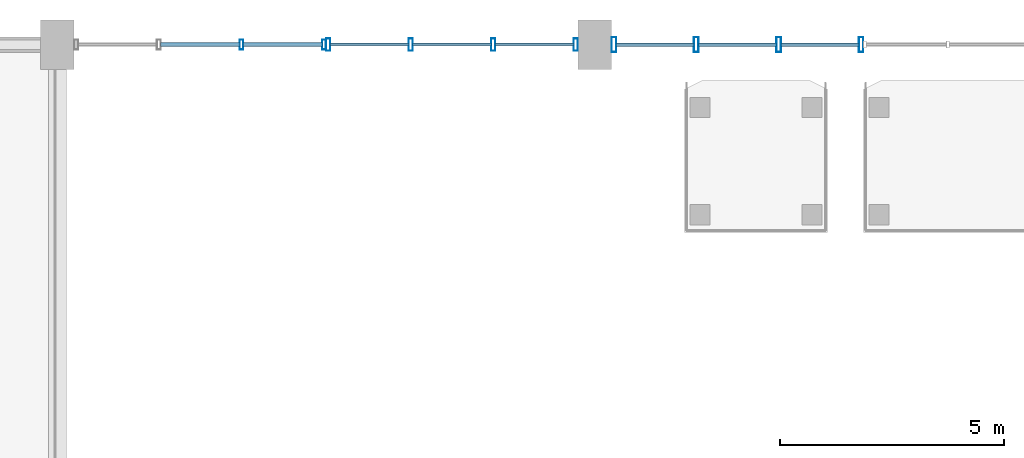
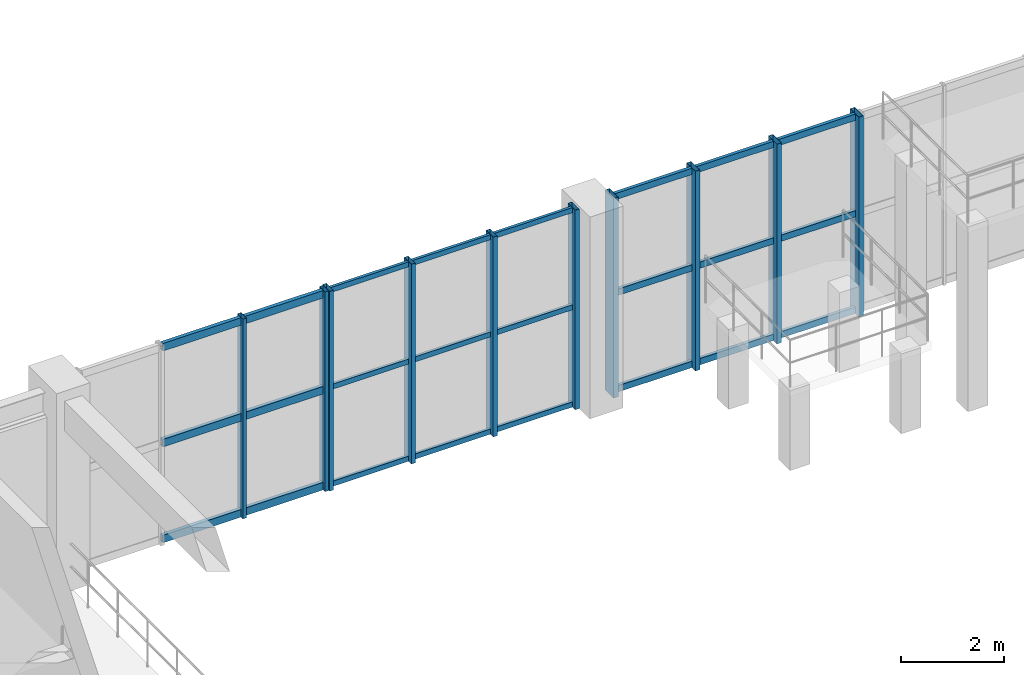
# One storey, part 63 of 106: 34 members, 3 elements without a shape of their own.
"""IFC4 building model written with IfcOpenShell, lengths in metres."""

from ifc_helpers import new_model, si_unit, direction, frame, origin, origin_2d, place, context, subcontext, project, spatial, hollow_rectangle, extrude, material, layer, layer_set, material_profile, profile_set, type_object, element, aggregate, save


model = new_model("IFC4")

# Units and contexts
model_context = context("Model", 3, precision=1e-05, world=origin(), true_north=direction((0.0, 1.0)))
body_context = subcontext(model_context, "Body", "Model", "MODEL_VIEW")
ifc_project = project(units=[si_unit("LENGTHUNIT", "METRE"), si_unit("AREAUNIT", "SQUARE_METRE"), si_unit("VOLUMEUNIT", "CUBIC_METRE"), si_unit("PLANEANGLEUNIT", "RADIAN"), si_unit("MASSUNIT", "GRAM", prefix="KILO"), si_unit("POWERUNIT", "WATT"), si_unit("THERMODYNAMICTEMPERATUREUNIT", "KELVIN")], contexts=[model_context])

# Site, building, storey
site_placement = place(None, origin())
site = spatial("IfcSite", under=ifc_project, at=site_placement, CompositionType="ELEMENT")
building_placement = place(site_placement, origin())
building = spatial("IfcBuilding", under=site, at=building_placement, Name="Kelmbourne Parkland Aquatics Centre", CompositionType="ELEMENT")
storey_placement = place(building_placement, frame((0.0, 0.0, 5.39990234375)))
storey = spatial("IfcBuildingStorey", under=building, at=storey_placement, Name="L01", CompositionType="ELEMENT", Elevation=5.39990234375)

# Curtain wall, members
ifc_material = material(Name="Thermally broken anodised aluminium framing", Category="aluminium")
ifc_layer_1 = layer(ifc_material, 0.179931640625)
ifc_layer_set_1 = layer_set([ifc_layer_1], Name="Thermally broken anodised aluminium framing")
curtain_wall_type_1 = type_object("IfcCurtainWallType", Name="CW-17", PredefinedType="NOTDEFINED", material=ifc_layer_set_1)
curtain_wall_1_placement = place(storey_placement, origin())
curtain_wall_1 = element("IfcCurtainWall", 1, at=curtain_wall_1_placement, inside=storey, type_object=curtain_wall_type_1, Name="Wave-hall clerestory curtain wall CW-L01-137", PredefinedType="NOTDEFINED")
ifc_material_profile_1 = material_profile(ifc_material, hollow_rectangle(XDim=0.0849609375, YDim=0.219970703125, WallThickness=0.0048828125, at=origin_2d()), Name="CW-M 85x220")
ifc_profile_set_1 = profile_set([ifc_material_profile_1], Name="Thermally broken anodised aluminium framing")
member_type_1 = type_object("IfcMemberType", Name="MB-MUL-3", PredefinedType="MULLION", material=ifc_profile_set_1)
member_1_placement = place(storey_placement, frame((144.111572265625, 114.800048828125, 0.0), z_axis=(0.0, 0.0, 1.0), x_axis=(1.0, 0.0, 0.0)))
member_1 = element("IfcMember", 2, at=member_1_placement, type_object=member_type_1, Name="CW-L01-137 mullion 2", PredefinedType="MULLION", context=body_context, shape_type="SweptSolid", body=[
    extrude(hollow_rectangle(XDim=0.0849609375, YDim=0.219970703125, WallThickness=0.0048828125, at=origin_2d()), origin(), (0.0, 0.0, 1.0), 4.75),
])
member_2_placement = place(storey_placement, frame((145.95751953125, 114.800048828125, 0.0), z_axis=(0.0, 0.0, 1.0), x_axis=(1.0, 0.0, 0.0)))
member_2 = element("IfcMember", 3, at=member_2_placement, type_object=member_type_1, Name="CW-L01-137 mullion 3", PredefinedType="MULLION", context=body_context, shape_type="SweptSolid", body=[
    extrude(hollow_rectangle(XDim=0.0849609375, YDim=0.219970703125, WallThickness=0.0048828125, at=origin_2d()), origin(), (0.0, 0.0, 1.0), 4.75),
])

ifc_layer_2 = layer(ifc_material, 0.179931640625)
ifc_layer_set_2 = layer_set([ifc_layer_2], Name="Thermally broken anodised aluminium framing")
curtain_wall_type_2 = type_object("IfcCurtainWallType", Name="CW-18", PredefinedType="NOTDEFINED", material=ifc_layer_set_2)
curtain_wall_2_placement = place(storey_placement, origin())
curtain_wall_2 = element("IfcCurtainWall", 4, at=curtain_wall_2_placement, inside=storey, type_object=curtain_wall_type_2, Name="Wave-hall clerestory curtain wall CW-L01-138", PredefinedType="NOTDEFINED")
ifc_material_profile_2 = material_profile(ifc_material, hollow_rectangle(XDim=0.094970703125, YDim=0.280029296875, WallThickness=0.005615234375, at=origin_2d()), Name="CW-M 95x280")
ifc_profile_set_2 = profile_set([ifc_material_profile_2], Name="Thermally broken anodised aluminium framing")
member_type_2 = type_object("IfcMemberType", Name="MB-MUL-4", PredefinedType="MULLION", material=ifc_profile_set_2)
member_3_placement = place(storey_placement, frame((146.047607421875, 114.800048828125, 0.0), z_axis=(0.0, 0.0, 1.0), x_axis=(1.0, 0.0, 0.0)))
member_3 = element("IfcMember", 5, at=member_3_placement, type_object=member_type_2, Name="CW-L01-138 mullion 0", PredefinedType="MULLION", context=body_context, shape_type="SweptSolid", body=[
    extrude(hollow_rectangle(XDim=0.094970703125, YDim=0.280029296875, WallThickness=0.005615234375, at=origin_2d()), origin(), (0.0, 0.0, 1.0), 4.75),
])
member_4_placement = place(storey_placement, frame((147.89013671875, 114.800048828125, 0.0), z_axis=(0.0, 0.0, 1.0), x_axis=(1.0, 0.0, 0.0)))
member_4 = element("IfcMember", 6, at=member_4_placement, type_object=member_type_2, Name="CW-L01-138 mullion 1", PredefinedType="MULLION", context=body_context, shape_type="SweptSolid", body=[
    extrude(hollow_rectangle(XDim=0.094970703125, YDim=0.280029296875, WallThickness=0.005615234375, at=origin_2d()), origin(), (0.0, 0.0, 1.0), 4.75),
])
member_5_placement = place(storey_placement, frame((149.73291015625, 114.800048828125, 0.0), z_axis=(0.0, 0.0, 1.0), x_axis=(1.0, 0.0, 0.0)))
member_5 = element("IfcMember", 7, at=member_5_placement, type_object=member_type_2, Name="CW-L01-138 mullion 2", PredefinedType="MULLION", context=body_context, shape_type="SweptSolid", body=[
    extrude(hollow_rectangle(XDim=0.094970703125, YDim=0.280029296875, WallThickness=0.005615234375, at=origin_2d()), origin(), (0.0, 0.0, 1.0), 4.75),
])
member_6_placement = place(storey_placement, frame((151.575439453125, 114.800048828125, 0.0), z_axis=(0.0, 0.0, 1.0), x_axis=(1.0, 0.0, 0.0)))
member_6 = element("IfcMember", 8, at=member_6_placement, type_object=member_type_2, Name="CW-L01-138 mullion 3", PredefinedType="MULLION", context=body_context, shape_type="SweptSolid", body=[
    extrude(hollow_rectangle(XDim=0.094970703125, YDim=0.280029296875, WallThickness=0.005615234375, at=origin_2d()), origin(), (0.0, 0.0, 1.0), 4.75),
])

ifc_layer_3 = layer(ifc_material, 0.179931640625)
ifc_layer_set_3 = layer_set([ifc_layer_3], Name="Thermally broken anodised aluminium framing")
curtain_wall_type_3 = type_object("IfcCurtainWallType", Name="CW-19", PredefinedType="NOTDEFINED", material=ifc_layer_set_3)
curtain_wall_3_placement = place(storey_placement, origin())
curtain_wall_3 = element("IfcCurtainWall", 9, at=curtain_wall_3_placement, inside=storey, type_object=curtain_wall_type_3, Name="Wave-hall clerestory curtain wall CW-L01-139", PredefinedType="NOTDEFINED")
ifc_material_profile_3 = material_profile(ifc_material, hollow_rectangle(XDim=0.10498046875, YDim=0.340087890625, WallThickness=0.006103515625, at=origin_2d()), Name="CW-M 105x340")
ifc_profile_set_3 = profile_set([ifc_material_profile_3], Name="Thermally broken anodised aluminium framing")
member_type_3 = type_object("IfcMemberType", Name="MB-MUL-5", PredefinedType="MULLION", material=ifc_profile_set_3)
member_7_placement = place(storey_placement, frame((152.429443359375, 114.800048828125, 0.0), z_axis=(0.0, 0.0, 1.0), x_axis=(1.0, 0.0, 0.0)))
member_7 = element("IfcMember", 10, at=member_7_placement, type_object=member_type_3, Name="CW-L01-139 mullion 0", PredefinedType="MULLION", context=body_context, shape_type="SweptSolid", body=[
    extrude(hollow_rectangle(XDim=0.10498046875, YDim=0.340087890625, WallThickness=0.006103515625, at=origin_2d()), origin(), (0.0, 0.0, 1.0), 4.75),
])
member_8_placement = place(storey_placement, frame((154.268798828125, 114.800048828125, 0.0), z_axis=(0.0, 0.0, 1.0), x_axis=(1.0, 0.0, 0.0)))
member_8 = element("IfcMember", 11, at=member_8_placement, type_object=member_type_3, Name="CW-L01-139 mullion 1", PredefinedType="MULLION", context=body_context, shape_type="SweptSolid", body=[
    extrude(hollow_rectangle(XDim=0.10498046875, YDim=0.340087890625, WallThickness=0.006103515625, at=origin_2d()), origin(), (0.0, 0.0, 1.0), 4.75),
])
member_9_placement = place(storey_placement, frame((156.108154296875, 114.800048828125, 0.0), z_axis=(0.0, 0.0, 1.0), x_axis=(1.0, 0.0, 0.0)))
member_9 = element("IfcMember", 12, at=member_9_placement, type_object=member_type_3, Name="CW-L01-139 mullion 2", PredefinedType="MULLION", context=body_context, shape_type="SweptSolid", body=[
    extrude(hollow_rectangle(XDim=0.10498046875, YDim=0.340087890625, WallThickness=0.006103515625, at=origin_2d()), origin(), (0.0, 0.0, 1.0), 4.75),
])
member_10_placement = place(storey_placement, frame((157.947509765625, 114.800048828125, 0.0), z_axis=(0.0, 0.0, 1.0), x_axis=(1.0, 0.0, 0.0)))
member_10 = element("IfcMember", 13, at=member_10_placement, type_object=member_type_3, Name="CW-L01-139 mullion 3", PredefinedType="MULLION", context=body_context, shape_type="SweptSolid", body=[
    extrude(hollow_rectangle(XDim=0.10498046875, YDim=0.340087890625, WallThickness=0.006103515625, at=origin_2d()), origin(), (0.0, 0.0, 1.0), 4.75),
])

# Member
ifc_material_profile_4 = material_profile(ifc_material, hollow_rectangle(XDim=0.06494140625, YDim=0.1201171875, WallThickness=0.00341796875, at=origin_2d()), Name="CW-T 65x120")
ifc_profile_set_4 = profile_set([ifc_material_profile_4], Name="Thermally broken anodised aluminium framing")
member_type_4 = type_object("IfcMemberType", Name="MB-TRN-1", PredefinedType="USERDEFINED", material=ifc_profile_set_4)
member_11_placement = place(storey_placement, frame((146.091064453125, 114.800048828125, 0.06298828125), z_axis=(1.0, 0.0, 0.0), x_axis=(0.0, 1.0, 0.0)))
member_11 = element("IfcMember", 14, at=member_11_placement, type_object=member_type_4, Name="CW-L01-138 transom 0-0", ObjectType="TRANSOM", PredefinedType="USERDEFINED", context=body_context, shape_type="SweptSolid", body=[
    extrude(hollow_rectangle(XDim=0.06494140625, YDim=0.1201171875, WallThickness=0.00341796875, at=origin_2d()), origin(), (0.0, 0.0, 1.0), 1.755615234375),
])

member_12_placement = place(storey_placement, frame((147.93359375, 114.800048828125, 0.06298828125), z_axis=(1.0, 0.0, 0.0), x_axis=(0.0, 1.0, 0.0)))
member_12 = element("IfcMember", 15, at=member_12_placement, type_object=member_type_4, Name="CW-L01-138 transom 0-1", ObjectType="TRANSOM", PredefinedType="USERDEFINED", context=body_context, shape_type="SweptSolid", body=[
    extrude(hollow_rectangle(XDim=0.06494140625, YDim=0.1201171875, WallThickness=0.00341796875, at=origin_2d()), origin(), (0.0, 0.0, 1.0), 1.755615234375),
])

member_13_placement = place(storey_placement, frame((149.7763671875, 114.800048828125, 0.06298828125), z_axis=(1.0, 0.0, 0.0), x_axis=(0.0, 1.0, 0.0)))
member_13 = element("IfcMember", 16, at=member_13_placement, type_object=member_type_4, Name="CW-L01-138 transom 0-2", ObjectType="TRANSOM", PredefinedType="USERDEFINED", context=body_context, shape_type="SweptSolid", body=[
    extrude(hollow_rectangle(XDim=0.06494140625, YDim=0.1201171875, WallThickness=0.00341796875, at=origin_2d()), origin(), (0.0, 0.0, 1.0), 1.755615234375),
])

member_14_placement = place(storey_placement, frame((146.091064453125, 114.800048828125, 2.375), z_axis=(1.0, 0.0, 0.0), x_axis=(0.0, 1.0, 0.0)))
member_14 = element("IfcMember", 17, at=member_14_placement, type_object=member_type_4, Name="CW-L01-138 transom 1-0", ObjectType="TRANSOM", PredefinedType="USERDEFINED", context=body_context, shape_type="SweptSolid", body=[
    extrude(hollow_rectangle(XDim=0.06494140625, YDim=0.1201171875, WallThickness=0.00341796875, at=origin_2d()), origin(), (0.0, 0.0, 1.0), 1.755615234375),
])

member_15_placement = place(storey_placement, frame((147.93359375, 114.800048828125, 2.375), z_axis=(1.0, 0.0, 0.0), x_axis=(0.0, 1.0, 0.0)))
member_15 = element("IfcMember", 18, at=member_15_placement, type_object=member_type_4, Name="CW-L01-138 transom 1-1", ObjectType="TRANSOM", PredefinedType="USERDEFINED", context=body_context, shape_type="SweptSolid", body=[
    extrude(hollow_rectangle(XDim=0.06494140625, YDim=0.1201171875, WallThickness=0.00341796875, at=origin_2d()), origin(), (0.0, 0.0, 1.0), 1.755615234375),
])

member_16_placement = place(storey_placement, frame((149.7763671875, 114.800048828125, 2.375), z_axis=(1.0, 0.0, 0.0), x_axis=(0.0, 1.0, 0.0)))
member_16 = element("IfcMember", 19, at=member_16_placement, type_object=member_type_4, Name="CW-L01-138 transom 1-2", ObjectType="TRANSOM", PredefinedType="USERDEFINED", context=body_context, shape_type="SweptSolid", body=[
    extrude(hollow_rectangle(XDim=0.06494140625, YDim=0.1201171875, WallThickness=0.00341796875, at=origin_2d()), origin(), (0.0, 0.0, 1.0), 1.755615234375),
])

member_17_placement = place(storey_placement, frame((146.091064453125, 114.800048828125, 4.68701171875), z_axis=(1.0, 0.0, 0.0), x_axis=(0.0, 1.0, 0.0)))
member_17 = element("IfcMember", 20, at=member_17_placement, type_object=member_type_4, Name="CW-L01-138 transom 2-0", ObjectType="TRANSOM", PredefinedType="USERDEFINED", context=body_context, shape_type="SweptSolid", body=[
    extrude(hollow_rectangle(XDim=0.06494140625, YDim=0.1201171875, WallThickness=0.00341796875, at=origin_2d()), origin(), (0.0, 0.0, 1.0), 1.755615234375),
])

member_18_placement = place(storey_placement, frame((147.93359375, 114.800048828125, 4.68701171875), z_axis=(1.0, 0.0, 0.0), x_axis=(0.0, 1.0, 0.0)))
member_18 = element("IfcMember", 21, at=member_18_placement, type_object=member_type_4, Name="CW-L01-138 transom 2-1", ObjectType="TRANSOM", PredefinedType="USERDEFINED", context=body_context, shape_type="SweptSolid", body=[
    extrude(hollow_rectangle(XDim=0.06494140625, YDim=0.1201171875, WallThickness=0.00341796875, at=origin_2d()), origin(), (0.0, 0.0, 1.0), 1.755615234375),
])

member_19_placement = place(storey_placement, frame((149.7763671875, 114.800048828125, 4.68701171875), z_axis=(1.0, 0.0, 0.0), x_axis=(0.0, 1.0, 0.0)))
member_19 = element("IfcMember", 22, at=member_19_placement, type_object=member_type_4, Name="CW-L01-138 transom 2-2", ObjectType="TRANSOM", PredefinedType="USERDEFINED", context=body_context, shape_type="SweptSolid", body=[
    extrude(hollow_rectangle(XDim=0.06494140625, YDim=0.1201171875, WallThickness=0.00341796875, at=origin_2d()), origin(), (0.0, 0.0, 1.0), 1.755615234375),
])

aggregate(curtain_wall_2, [member_3, member_4, member_5, member_6, member_11, member_12, member_13, member_14, member_15, member_16, member_17, member_18, member_19])

ifc_material_profile_5 = material_profile(ifc_material, hollow_rectangle(XDim=0.074951171875, YDim=0.14990234375, WallThickness=0.00390625, at=origin_2d()), Name="CW-T 75x150")
ifc_profile_set_5 = profile_set([ifc_material_profile_5], Name="Thermally broken anodised aluminium framing")
member_type_5 = type_object("IfcMemberType", Name="MB-TRN-2", PredefinedType="USERDEFINED", material=ifc_profile_set_5)
member_20_placement = place(storey_placement, frame((152.47802734375, 114.800048828125, 0.078125), z_axis=(1.0, 0.0, 0.0), x_axis=(0.0, 1.0, 0.0)))
member_20 = element("IfcMember", 23, at=member_20_placement, type_object=member_type_5, Name="CW-L01-139 transom 0-0", ObjectType="TRANSOM", PredefinedType="USERDEFINED", context=body_context, shape_type="SweptSolid", body=[
    extrude(hollow_rectangle(XDim=0.074951171875, YDim=0.14990234375, WallThickness=0.00390625, at=origin_2d()), origin(), (0.0, 0.0, 1.0), 1.7421875),
])

member_21_placement = place(storey_placement, frame((154.3173828125, 114.800048828125, 0.078125), z_axis=(1.0, 0.0, 0.0), x_axis=(0.0, 1.0, 0.0)))
member_21 = element("IfcMember", 24, at=member_21_placement, type_object=member_type_5, Name="CW-L01-139 transom 0-1", ObjectType="TRANSOM", PredefinedType="USERDEFINED", context=body_context, shape_type="SweptSolid", body=[
    extrude(hollow_rectangle(XDim=0.074951171875, YDim=0.14990234375, WallThickness=0.00390625, at=origin_2d()), origin(), (0.0, 0.0, 1.0), 1.742431640625),
])

member_22_placement = place(storey_placement, frame((156.15673828125, 114.800048828125, 0.078125), z_axis=(1.0, 0.0, 0.0), x_axis=(0.0, 1.0, 0.0)))
member_22 = element("IfcMember", 25, at=member_22_placement, type_object=member_type_5, Name="CW-L01-139 transom 0-2", ObjectType="TRANSOM", PredefinedType="USERDEFINED", context=body_context, shape_type="SweptSolid", body=[
    extrude(hollow_rectangle(XDim=0.074951171875, YDim=0.14990234375, WallThickness=0.00390625, at=origin_2d()), origin(), (0.0, 0.0, 1.0), 1.7421875),
])

member_23_placement = place(storey_placement, frame((152.47802734375, 114.800048828125, 2.375), z_axis=(1.0, 0.0, 0.0), x_axis=(0.0, 1.0, 0.0)))
member_23 = element("IfcMember", 26, at=member_23_placement, type_object=member_type_5, Name="CW-L01-139 transom 1-0", ObjectType="TRANSOM", PredefinedType="USERDEFINED", context=body_context, shape_type="SweptSolid", body=[
    extrude(hollow_rectangle(XDim=0.074951171875, YDim=0.14990234375, WallThickness=0.00390625, at=origin_2d()), origin(), (0.0, 0.0, 1.0), 1.7421875),
])

member_24_placement = place(storey_placement, frame((154.3173828125, 114.800048828125, 2.375), z_axis=(1.0, 0.0, 0.0), x_axis=(0.0, 1.0, 0.0)))
member_24 = element("IfcMember", 27, at=member_24_placement, type_object=member_type_5, Name="CW-L01-139 transom 1-1", ObjectType="TRANSOM", PredefinedType="USERDEFINED", context=body_context, shape_type="SweptSolid", body=[
    extrude(hollow_rectangle(XDim=0.074951171875, YDim=0.14990234375, WallThickness=0.00390625, at=origin_2d()), origin(), (0.0, 0.0, 1.0), 1.742431640625),
])

member_25_placement = place(storey_placement, frame((156.15673828125, 114.800048828125, 2.375), z_axis=(1.0, 0.0, 0.0), x_axis=(0.0, 1.0, 0.0)))
member_25 = element("IfcMember", 28, at=member_25_placement, type_object=member_type_5, Name="CW-L01-139 transom 1-2", ObjectType="TRANSOM", PredefinedType="USERDEFINED", context=body_context, shape_type="SweptSolid", body=[
    extrude(hollow_rectangle(XDim=0.074951171875, YDim=0.14990234375, WallThickness=0.00390625, at=origin_2d()), origin(), (0.0, 0.0, 1.0), 1.7421875),
])

member_26_placement = place(storey_placement, frame((152.47802734375, 114.800048828125, 4.672119140625), z_axis=(1.0, 0.0, 0.0), x_axis=(0.0, 1.0, 0.0)))
member_26 = element("IfcMember", 29, at=member_26_placement, type_object=member_type_5, Name="CW-L01-139 transom 2-0", ObjectType="TRANSOM", PredefinedType="USERDEFINED", context=body_context, shape_type="SweptSolid", body=[
    extrude(hollow_rectangle(XDim=0.074951171875, YDim=0.14990234375, WallThickness=0.00390625, at=origin_2d()), origin(), (0.0, 0.0, 1.0), 1.7421875),
])

member_27_placement = place(storey_placement, frame((154.3173828125, 114.800048828125, 4.672119140625), z_axis=(1.0, 0.0, 0.0), x_axis=(0.0, 1.0, 0.0)))
member_27 = element("IfcMember", 30, at=member_27_placement, type_object=member_type_5, Name="CW-L01-139 transom 2-1", ObjectType="TRANSOM", PredefinedType="USERDEFINED", context=body_context, shape_type="SweptSolid", body=[
    extrude(hollow_rectangle(XDim=0.074951171875, YDim=0.14990234375, WallThickness=0.00390625, at=origin_2d()), origin(), (0.0, 0.0, 1.0), 1.742431640625),
])

member_28_placement = place(storey_placement, frame((156.15673828125, 114.800048828125, 4.672119140625), z_axis=(1.0, 0.0, 0.0), x_axis=(0.0, 1.0, 0.0)))
member_28 = element("IfcMember", 31, at=member_28_placement, type_object=member_type_5, Name="CW-L01-139 transom 2-2", ObjectType="TRANSOM", PredefinedType="USERDEFINED", context=body_context, shape_type="SweptSolid", body=[
    extrude(hollow_rectangle(XDim=0.074951171875, YDim=0.14990234375, WallThickness=0.00390625, at=origin_2d()), origin(), (0.0, 0.0, 1.0), 1.7421875),
])

aggregate(curtain_wall_3, [member_7, member_8, member_9, member_10, member_20, member_21, member_22, member_23, member_24, member_25, member_26, member_27, member_28])

ifc_material_profile_6 = material_profile(ifc_material, hollow_rectangle(XDim=0.0849609375, YDim=0.179931640625, WallThickness=0.00439453125, at=origin_2d()), Name="CW-T 85x180")
ifc_profile_set_6 = profile_set([ifc_material_profile_6], Name="Thermally broken anodised aluminium framing")
member_type_6 = type_object("IfcMemberType", Name="MB-TRN-3", PredefinedType="USERDEFINED", material=ifc_profile_set_6)
member_29_placement = place(storey_placement, frame((142.303955078125, 114.800048828125, 0.093017578125), z_axis=(1.0, 0.0, 0.0), x_axis=(0.0, 1.0, 0.0)))
member_29 = element("IfcMember", 32, at=member_29_placement, type_object=member_type_6, Name="CW-L01-137 transom 0-1", ObjectType="TRANSOM", PredefinedType="USERDEFINED", context=body_context, shape_type="SweptSolid", body=[
    extrude(hollow_rectangle(XDim=0.0849609375, YDim=0.179931640625, WallThickness=0.00439453125, at=origin_2d()), origin(), (0.0, 0.0, 1.0), 1.76904296875),
])

member_30_placement = place(storey_placement, frame((144.14990234375, 114.800048828125, 0.093017578125), z_axis=(1.0, 0.0, 0.0), x_axis=(0.0, 1.0, 0.0)))
member_30 = element("IfcMember", 33, at=member_30_placement, type_object=member_type_6, Name="CW-L01-137 transom 0-2", ObjectType="TRANSOM", PredefinedType="USERDEFINED", context=body_context, shape_type="SweptSolid", body=[
    extrude(hollow_rectangle(XDim=0.0849609375, YDim=0.179931640625, WallThickness=0.00439453125, at=origin_2d()), origin(), (0.0, 0.0, 1.0), 1.76904296875),
])

member_31_placement = place(storey_placement, frame((142.303955078125, 114.800048828125, 2.375), z_axis=(1.0, 0.0, 0.0), x_axis=(0.0, 1.0, 0.0)))
member_31 = element("IfcMember", 34, at=member_31_placement, type_object=member_type_6, Name="CW-L01-137 transom 1-1", ObjectType="TRANSOM", PredefinedType="USERDEFINED", context=body_context, shape_type="SweptSolid", body=[
    extrude(hollow_rectangle(XDim=0.0849609375, YDim=0.179931640625, WallThickness=0.00439453125, at=origin_2d()), origin(), (0.0, 0.0, 1.0), 1.76904296875),
])

member_32_placement = place(storey_placement, frame((144.14990234375, 114.800048828125, 2.375), z_axis=(1.0, 0.0, 0.0), x_axis=(0.0, 1.0, 0.0)))
member_32 = element("IfcMember", 35, at=member_32_placement, type_object=member_type_6, Name="CW-L01-137 transom 1-2", ObjectType="TRANSOM", PredefinedType="USERDEFINED", context=body_context, shape_type="SweptSolid", body=[
    extrude(hollow_rectangle(XDim=0.0849609375, YDim=0.179931640625, WallThickness=0.00439453125, at=origin_2d()), origin(), (0.0, 0.0, 1.0), 1.76904296875),
])

member_33_placement = place(storey_placement, frame((142.303955078125, 114.800048828125, 4.656982421875), z_axis=(1.0, 0.0, 0.0), x_axis=(0.0, 1.0, 0.0)))
member_33 = element("IfcMember", 36, at=member_33_placement, type_object=member_type_6, Name="CW-L01-137 transom 2-1", ObjectType="TRANSOM", PredefinedType="USERDEFINED", context=body_context, shape_type="SweptSolid", body=[
    extrude(hollow_rectangle(XDim=0.0849609375, YDim=0.179931640625, WallThickness=0.00439453125, at=origin_2d()), origin(), (0.0, 0.0, 1.0), 1.76904296875),
])

member_34_placement = place(storey_placement, frame((144.14990234375, 114.800048828125, 4.656982421875), z_axis=(1.0, 0.0, 0.0), x_axis=(0.0, 1.0, 0.0)))
member_34 = element("IfcMember", 37, at=member_34_placement, type_object=member_type_6, Name="CW-L01-137 transom 2-2", ObjectType="TRANSOM", PredefinedType="USERDEFINED", context=body_context, shape_type="SweptSolid", body=[
    extrude(hollow_rectangle(XDim=0.0849609375, YDim=0.179931640625, WallThickness=0.00439453125, at=origin_2d()), origin(), (0.0, 0.0, 1.0), 1.76904296875),
])

aggregate(curtain_wall_1, [member_1, member_2, member_29, member_30, member_31, member_32, member_33, member_34])

save(model, "model.ifc")
